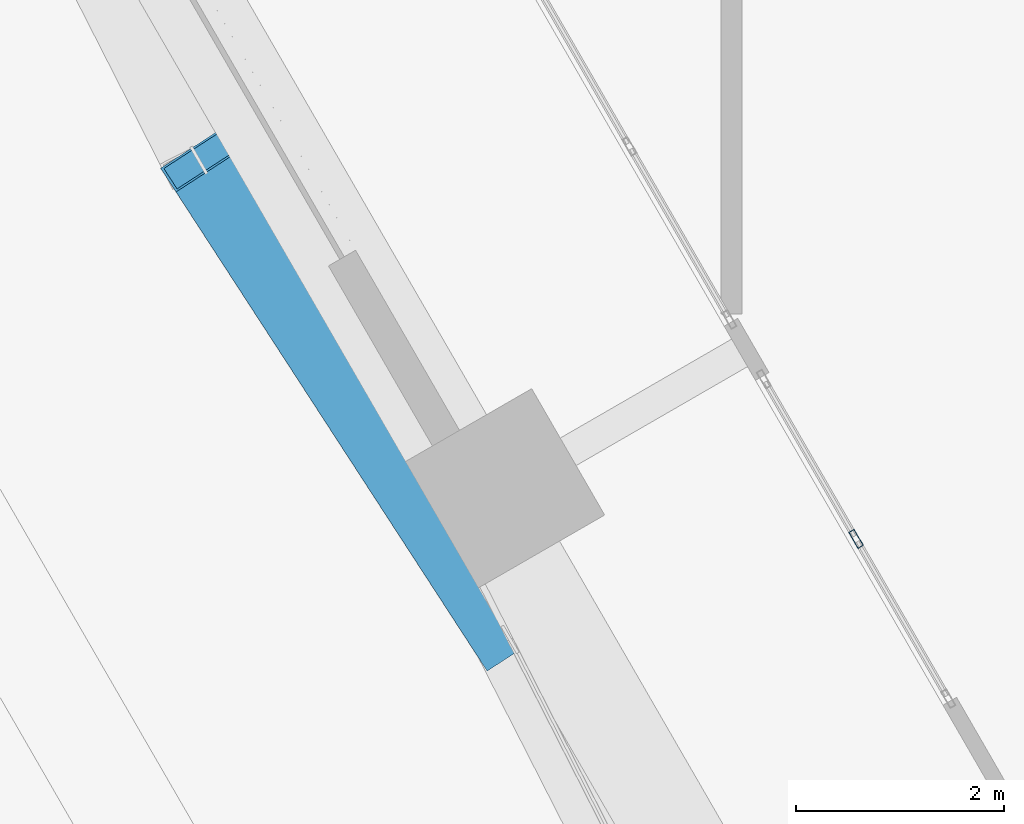
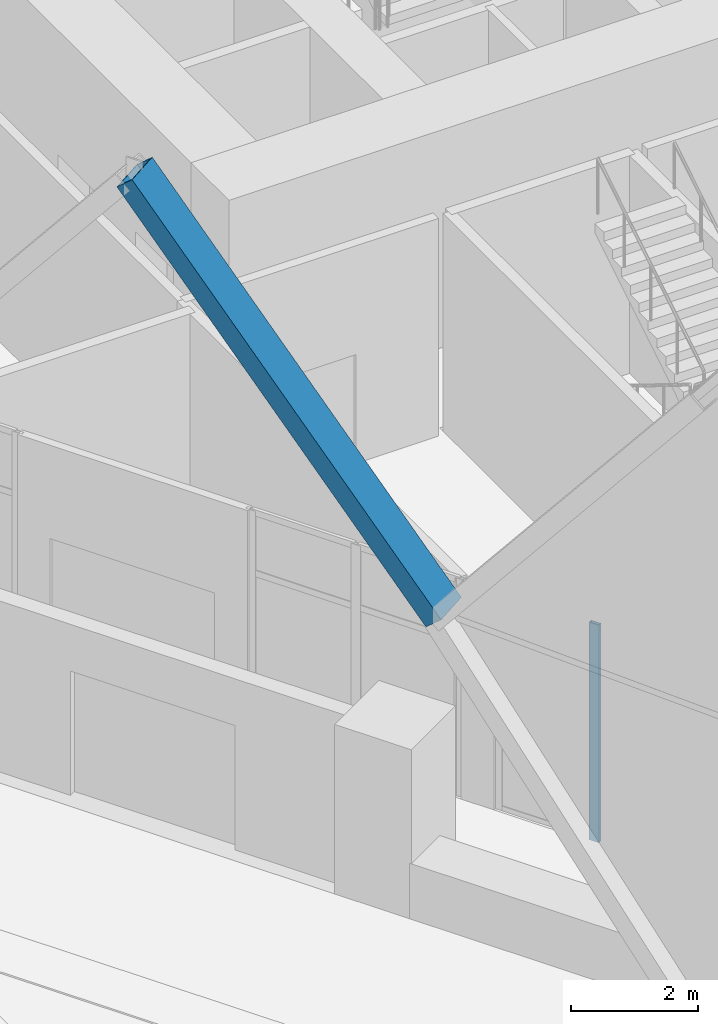
# One storey, part 16 of 71: 2 members, 1 element without a shape of its own.
"""IFC4 building model written with IfcOpenShell, lengths in metres."""

import ifcopenshell
import ifcopenshell.guid

model = None  # the IFC model being written
_history = None  # IfcOwnerHistory: only IFC2X3 demands one
_inside = {}  # id of a spatial element -> (the spatial element, [elements in it])
_under = {}  # id of a project, library or spatial element -> (it, [spatial elements below it])
_declared = {}  # id of a project -> (the project, [libraries it declares])
_typed = {}  # id of a type object -> (the type object, [elements of that type])
_made_of = {}  # id of a material, layer set ... -> (it, [elements and type objects made of it])


def new_model(schema):
    """Start an empty IFC model of exactly this schema.

    Asked for "IFC4X3", IfcOpenShell would pick the latest addendum, in which some entities
    have other attributes; the version numbers below select the first issue.
    IFC2X3 requires an IfcOwnerHistory on every rooted entity: one is made here for all.
    """
    global model, _history
    if schema == "IFC4X3":
        model = ifcopenshell.file(schema_version=(4, 3, 0, 0))
    else:
        model = ifcopenshell.file(schema=schema)
    _inside.clear()
    _under.clear()
    _declared.clear()
    _typed.clear()
    _made_of.clear()
    _history = None
    if model.schema == "IFC2X3":
        org = make("IfcOrganization", Name="unknown")
        user = make(
            "IfcPersonAndOrganization",
            ThePerson=make("IfcPerson", FamilyName="unknown"),
            TheOrganization=org,
        )
        app = make(
            "IfcApplication",
            ApplicationDeveloper=org,
            Version="unknown",
            ApplicationFullName="unknown",
            ApplicationIdentifier="unknown",
        )
        _history = make(
            "IfcOwnerHistory",
            OwningUser=user,
            OwningApplication=app,
            ChangeAction="ADDED",
            CreationDate=0,
        )
    return model


def make(cls, **values):
    """One entity of the class cls with the attributes given. An attribute that is None is left unset."""
    return model.create_entity(
        cls, **{name: value for name, value in values.items() if value is not None}
    )


def rooted(cls, **values):
    """An entity with a GlobalId (a new one), such as an element, a storey or a relation."""
    return make(cls, GlobalId=ifcopenshell.guid.new(), OwnerHistory=_history, **values)


def si_unit(unit_type, name, prefix=None):
    """IfcSIUnit, for example si_unit("LENGTHUNIT", "METRE", prefix="MILLI")."""
    return make("IfcSIUnit", UnitType=unit_type, Prefix=prefix, Name=name)


def assignment(units):
    """IfcUnitAssignment: the units of a project."""
    return None if units is None else make("IfcUnitAssignment", Units=units)


def point(xyz):
    """IfcCartesianPoint."""
    return None if xyz is None else make("IfcCartesianPoint", Coordinates=xyz)


def direction(xyz):
    """IfcDirection."""
    return None if xyz is None else make("IfcDirection", DirectionRatios=xyz)


def frame(location, z_axis=None, x_axis=None):
    """IfcAxis2Placement3D, a coordinate frame: its origin and axes. An axis left out is left unset."""
    return make(
        "IfcAxis2Placement3D",
        Location=point(location),
        Axis=direction(z_axis),
        RefDirection=direction(x_axis),
    )


def frame_2d(location, x_axis=None):
    """IfcAxis2Placement2D, a coordinate frame in the plane: its origin and x axis."""
    return make(
        "IfcAxis2Placement2D", Location=point(location), RefDirection=direction(x_axis)
    )


def origin():
    """The frame at (0, 0, 0) with its axes left unset."""
    return frame((0.0, 0.0, 0.0))


def origin_2d():
    """The frame at (0, 0) in the plane with its x axis left unset."""
    return frame_2d((0.0, 0.0))


def place(relative_to, where):
    """IfcLocalPlacement: puts the frame where relative to a parent placement (None: the world)."""
    return make(
        "IfcLocalPlacement", PlacementRelTo=relative_to, RelativePlacement=where
    )


def context(
    kind, dimensions, precision=None, world=None, true_north=None, identifier=None
):
    """IfcGeometricRepresentationContext, for example the 3D "Model" context."""
    return make(
        "IfcGeometricRepresentationContext",
        ContextIdentifier=identifier,
        ContextType=kind,
        CoordinateSpaceDimension=dimensions,
        Precision=precision,
        WorldCoordinateSystem=world,
        TrueNorth=true_north,
    )


def subcontext(parent, identifier, kind, view, scale=None):
    """IfcGeometricRepresentationSubContext, for example "Body" below "Model"."""
    return make(
        "IfcGeometricRepresentationSubContext",
        ContextIdentifier=identifier,
        ContextType=kind,
        ParentContext=parent,
        TargetScale=scale,
        TargetView=view,
    )


def project(units=None, contexts=None):
    """IfcProject with its units and contexts."""
    return rooted(
        "IfcProject",
        Name="project",
        RepresentationContexts=contexts,
        UnitsInContext=assignment(units),
    )


def spatial(cls, under=None, at=None, **own):
    """A site, building, storey or space (cls), placed at a placement, below another one or the project."""
    s = rooted(cls, ObjectPlacement=at, **own)
    if under is not None:
        _under.setdefault(under.id(), (under, []))[1].append(s)
    return s


def profile(cls, at=None, kind="AREA", **sizes):
    """A parametric profile (cls). Its sizes go by their IFC names, for example OverallWidth=200.0."""
    return make(cls, ProfileType=kind, Position=at, **sizes)


def hollow_rectangle(**sizes):
    """IfcRectangleHollowProfileDef."""
    return profile("IfcRectangleHollowProfileDef", **sizes)


def extrude(swept, where, along, depth):
    """IfcExtrudedAreaSolid: the profile swept, set in the frame where, extruded along a direction by depth."""
    return make(
        "IfcExtrudedAreaSolid",
        SweptArea=swept,
        Position=where,
        ExtrudedDirection=direction(along),
        Depth=depth,
    )


def shape(context_of_items, identifier, shape_type, items):
    """IfcShapeRepresentation: the items that make up one representation, for example the "Body"."""
    return make(
        "IfcShapeRepresentation",
        ContextOfItems=context_of_items,
        RepresentationIdentifier=identifier,
        RepresentationType=shape_type,
        Items=items,
    )


def material(Name=None, Category=None):
    """IfcMaterial."""
    return make("IfcMaterial", Name=Name, Category=Category)


def material_profile(
    of_material, cross_section, Name=None, Category=None, Priority=None
):
    """IfcMaterialProfile: a cross section and its material."""
    return make(
        "IfcMaterialProfile",
        Name=Name,
        Material=of_material,
        Profile=cross_section,
        Priority=Priority,
        Category=Category,
    )


def profile_set(profiles, Name=None, composite=None):
    """IfcMaterialProfileSet."""
    return make(
        "IfcMaterialProfileSet",
        Name=Name,
        MaterialProfiles=profiles,
        CompositeProfile=composite,
    )


def made_of(thing, what):
    """Note that an element or type object is made of a material, layer set ...; save() writes the relation."""
    if what is not None:
        _made_of.setdefault(what.id(), (what, []))[1].append(thing)
    return thing


def type_object(cls, material=None, **own):
    """A type object (cls), such as IfcWallType, which elements share."""
    return made_of(rooted(cls, **own), material)


def element(
    cls,
    number,
    at=None,
    inside=None,
    cuts=None,
    type_object=None,
    material=None,
    context=None,
    identifier="Body",
    shape_type=None,
    held_by="IfcProductDefinitionShape",
    body=None,
    shapes=None,
    **own,
):
    """One element of the class cls, such as IfcWall. Its Tag is "e" and its number.

    at: its placement. inside: the storey or other place that contains it. cuts: it is an
    opening in that element (IfcRelVoidsElement). A single representation is given by context,
    identifier, shape_type and body (its items); several are given by shapes. held_by: the class
    of the entity that holds the representations. save() writes the other relations.
    """
    e = rooted(cls, Tag="e%d" % number, ObjectPlacement=at, **own)
    if body is not None:
        shapes = [shape(context, identifier, shape_type, body)]
    if shapes is not None:
        e.Representation = make(held_by, Representations=shapes)
    if inside is not None:
        _inside.setdefault(inside.id(), (inside, []))[1].append(e)
    if cuts is not None:
        rooted(
            "IfcRelVoidsElement", RelatingBuildingElement=cuts, RelatedOpeningElement=e
        )
    if type_object is not None:
        _typed.setdefault(type_object.id(), (type_object, []))[1].append(e)
    return made_of(e, material)


def aggregate(whole, parts):
    """IfcRelAggregates: a whole, such as a stair, and the parts it consists of."""
    return rooted("IfcRelAggregates", RelatingObject=whole, RelatedObjects=parts)


def save(model, path):
    """Write the relations noted so far, then the file.

    IfcRelAggregates (storeys below a building ...), IfcRelContainedInSpatialStructure (elements
    in a storey), IfcRelDefinesByType, IfcRelAssociatesMaterial and IfcRelDeclares: one each for
    every whole, place, type object, material and project.
    """
    for whole, parts in _under.values():
        aggregate(whole, parts)
    for where, things in _inside.values():
        rooted(
            "IfcRelContainedInSpatialStructure",
            RelatedElements=things,
            RelatingStructure=where,
        )
    for kind, things in _typed.values():
        rooted("IfcRelDefinesByType", RelatedObjects=things, RelatingType=kind)
    for what, things in _made_of.values():
        rooted("IfcRelAssociatesMaterial", RelatedObjects=things, RelatingMaterial=what)
    for by, libraries in _declared.values():
        rooted("IfcRelDeclares", RelatingContext=by, RelatedDefinitions=libraries)
    model.write(path)


model = new_model("IFC4")

# Units and contexts
model_context = context("Model", 3, precision=1e-05, world=origin(), true_north=direction((0.0, 1.0)))
body_context = subcontext(model_context, "Body", "Model", "MODEL_VIEW")
ifc_project = project(units=[si_unit("LENGTHUNIT", "METRE"), si_unit("AREAUNIT", "SQUARE_METRE"), si_unit("VOLUMEUNIT", "CUBIC_METRE"), si_unit("PLANEANGLEUNIT", "RADIAN"), si_unit("MASSUNIT", "GRAM", prefix="KILO")], contexts=[model_context])

# Site, building, storey
site_placement = place(None, origin())
site = spatial("IfcSite", under=ifc_project, at=site_placement, CompositionType="ELEMENT")
building_placement = place(site_placement, origin())
building = spatial("IfcBuilding", under=site, at=building_placement, Name="Ostrander Bayou Hotel Tower", CompositionType="ELEMENT")
storey_placement = place(building_placement, frame((0.0, 0.0, 10.0)))
storey = spatial("IfcBuildingStorey", under=building, at=storey_placement, Name="L02", CompositionType="ELEMENT", Elevation=10.0)

# Curtain wall, member
ifc_material_1 = material(Name="Aluminium and clear glass", Category="aluminium")
curtain_wall_type = type_object("IfcCurtainWallType", Name="CW-SKY amenity glass wall", PredefinedType="NOTDEFINED", material=ifc_material_1)
curtain_wall_placement = place(storey_placement, origin())
curtain_wall = element("IfcCurtainWall", 1, at=curtain_wall_placement, inside=storey, type_object=curtain_wall_type, Name="CW-SKY L02 SW 4", PredefinedType="NOTDEFINED")
ifc_material_2 = material(Name="Aluminium", Category="aluminium")
ifc_material_profile_1 = material_profile(ifc_material_2, hollow_rectangle(XDim=0.06005859375, YDim=0.179931640625, WallThickness=0.00390625, at=origin_2d()))
ifc_profile_set_1 = profile_set([ifc_material_profile_1], Name="Aluminium")
member_type_1 = type_object("IfcMemberType", Name="CW-SK mullion 60 x 180 mm", PredefinedType="MULLION", material=ifc_profile_set_1)
member_1_placement = place(storey_placement, frame((-12.806396484375, -14.66845703125, 0.0), z_axis=(0.0, 0.0, 1.0), x_axis=(0.866025997283, 0.499998972029, 0.0)))
member_1 = element("IfcMember", 2, at=member_1_placement, type_object=member_type_1, Name="CW-SKY mullion 2", PredefinedType="MULLION", context=body_context, shape_type="SweptSolid", body=[
    extrude(hollow_rectangle(XDim=0.06005859375, YDim=0.179931640625, WallThickness=0.00390625, at=origin_2d()), origin(), (0.0, 0.0, 1.0), 4.199951171875),
])
aggregate(curtain_wall, [member_1])

# Member
ifc_material_3 = material(Name="Steel ASTM A572 Gr 50", Category="steel")
ifc_material_profile_2 = material_profile(ifc_material_3, hollow_rectangle(XDim=0.699951171875, YDim=0.35009765625, WallThickness=0.02490234375, at=origin_2d()))
ifc_profile_set_2 = profile_set([ifc_material_profile_2], Name="Steel ASTM A572 Gr 50")
member_type_2 = type_object("IfcMemberType", Name="LT1 lattice member box 700 x 350 x 25 mm", PredefinedType="BRACE", material=ifc_profile_set_2)
member_2_placement = place(storey_placement, frame((-16.126953125, -15.63330078125, 6.14990234375), z_axis=(-0.343401696022, 0.528774603055, 0.776191145488), x_axis=(-0.838662270052, -0.544651812438, 0.0)))
element("IfcMember", 3, at=member_2_placement, inside=storey, type_object=member_type_2, Name="LT1 L02 SW 4", PredefinedType="BRACE", context=body_context, shape_type="SweptSolid", body=[
    extrude(hollow_rectangle(XDim=0.699951171875, YDim=0.35009765625, WallThickness=0.02490234375, at=origin_2d()), origin(), (0.0, 0.0, 1.0), 8.6962890625),
])

save(model, "model.ifc")
